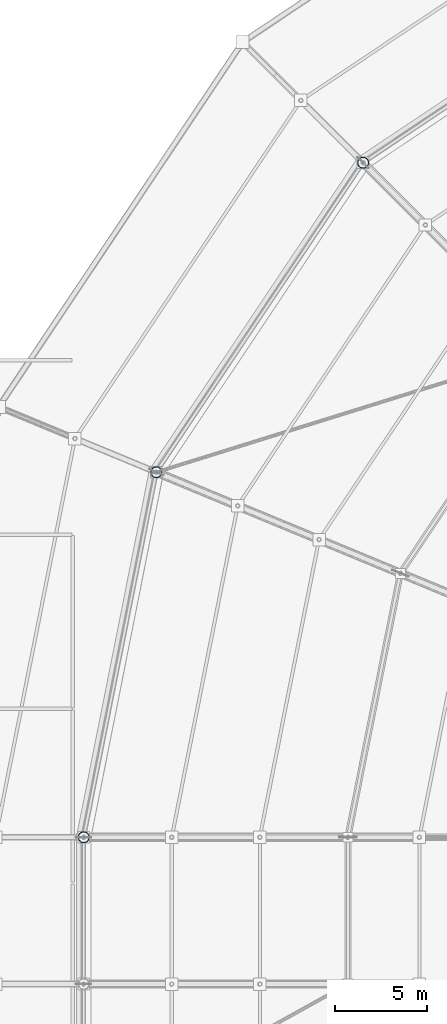
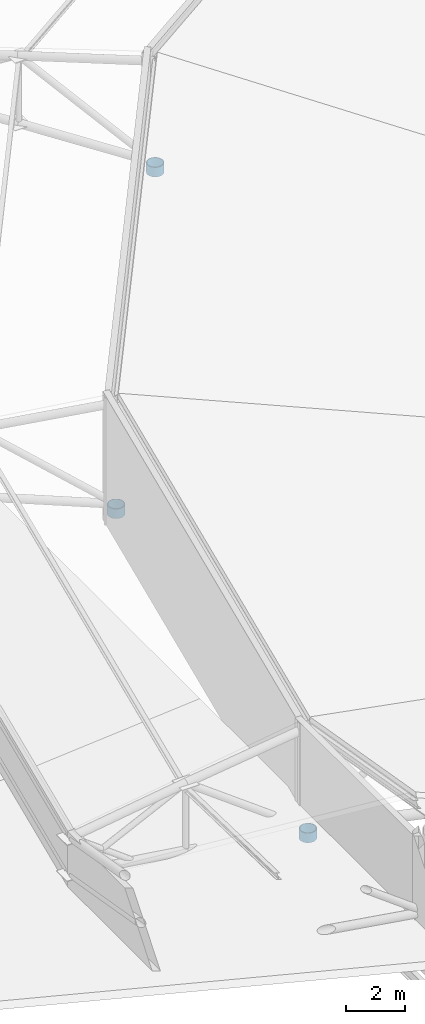
# One storey, part 9 of 146: 3 columns.
"""IFC4 building model written with IfcOpenShell, lengths in metres."""

from ifc_helpers import new_model, si_unit, direction, frame, origin, origin_2d, place, context, subcontext, project, spatial, hollow_circle, extrude, material, material_profile, profile_set, type_object, element, save


model = new_model("IFC4")

# Units and contexts
model_context = context("Model", 3, precision=1e-05, world=origin(), true_north=direction((0.0, 1.0)))
body_context = subcontext(model_context, "Body", "Model", "MODEL_VIEW")
ifc_project = project(units=[si_unit("LENGTHUNIT", "METRE"), si_unit("AREAUNIT", "SQUARE_METRE"), si_unit("VOLUMEUNIT", "CUBIC_METRE"), si_unit("PLANEANGLEUNIT", "RADIAN"), si_unit("MASSUNIT", "GRAM", prefix="KILO")], contexts=[model_context])

# Site, building, storey
site_placement = place(None, origin())
site = spatial("IfcSite", under=ifc_project, at=site_placement, CompositionType="ELEMENT")
building_placement = place(site_placement, origin())
building = spatial("IfcBuilding", under=site, at=building_placement, Name="Candeia Ridge Stadium", CompositionType="ELEMENT")
storey_placement = place(building_placement, frame((0.0, 0.0, 31.800048828125)))
storey = spatial("IfcBuildingStorey", under=building, at=storey_placement, Name="RF", CompositionType="ELEMENT", Elevation=31.800048828125)

# Columns
ifc_material = material(Name="Steel ASTM A572 Grade 50", Category="steel")
ifc_material_profile = material_profile(ifc_material, hollow_circle(Radius=0.304931640625, WallThickness=0.02490234375, at=origin_2d()), Name="CHS610x25", Category="steel")
ifc_profile_set = profile_set([ifc_material_profile], Name="Steel ASTM A572 Grade 50")
column_type = type_object("IfcColumnType", Name="Roof Mast Column CHS610x25", PredefinedType="PILASTER", material=ifc_profile_set)
for number, where, z_axis, x_axis, name in (
    (1, (34.23046875, 131.76953125, 0.0), (0.0, 0.0, 1.0), (1.0, 0.0, 0.0), "Roof truss steel mast column BC-OU-09 RF"),
    (2, (22.958251953125, 114.899658203125, 0.0), (0.0, 0.0, 1.0), (1.0, 0.0, 0.0), "Roof truss steel mast column BC-OU-10 RF"),
    (3, (19.0, 95.0, 0.0), (0.0, 0.0, 1.0), (1.0, 0.0, 0.0), "Roof truss steel mast column BC-OU-11 RF"),
):
    element("IfcColumn", number, at=place(storey_placement, frame(where, z_axis=z_axis, x_axis=x_axis)), inside=storey, type_object=column_type, Name=name, PredefinedType="PILASTER", context=body_context, shape_type="SweptSolid", body=[
        extrude(hollow_circle(Radius=0.304931640625, WallThickness=0.02490234375, at=origin_2d()), origin(), (0.0, 0.0, 1.0), 0.39990234375),
    ])

save(model, "model.ifc")
